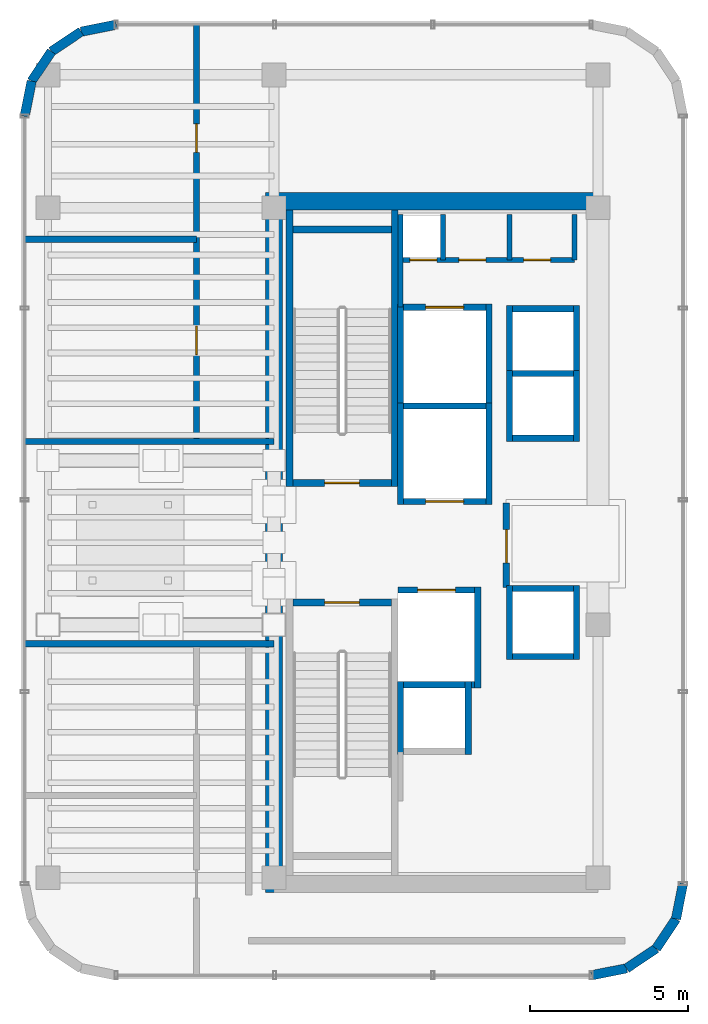
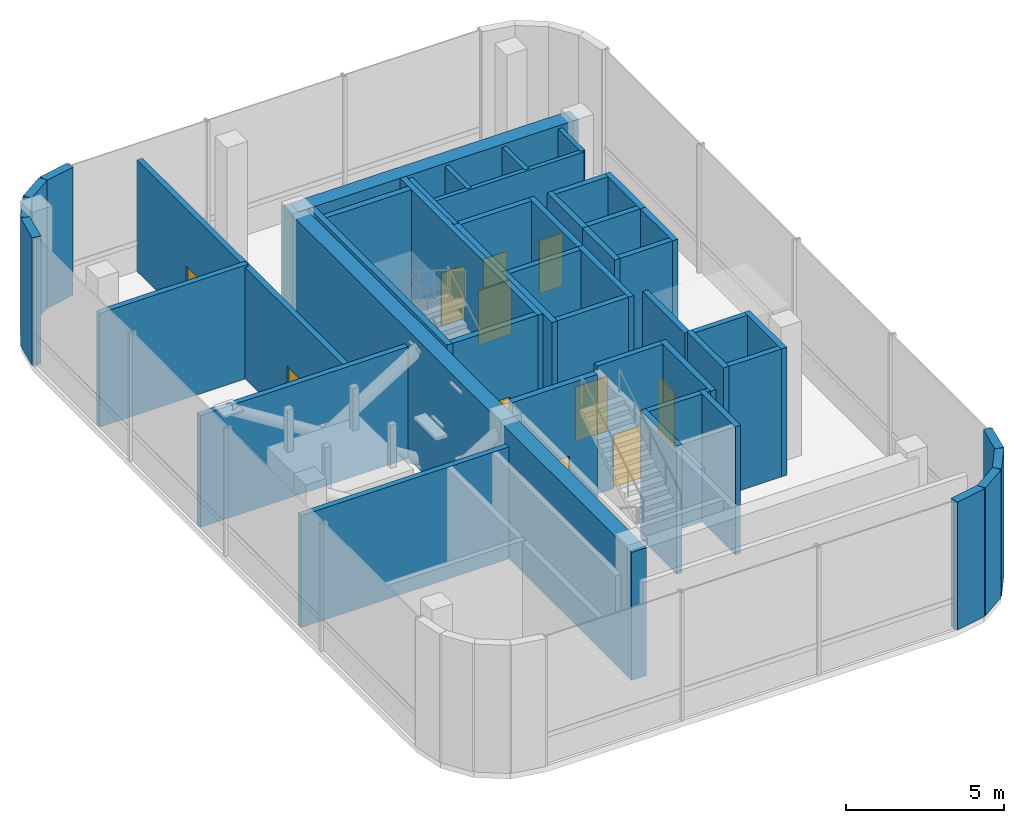
# One storey, part 10 of 13: 48 walls, 11 doors, 11 openings.
"""IFC4 building model written with IfcOpenShell, lengths in metres."""

from ifc_helpers import new_model, si_unit, direction, frame, frame_2d, origin, place, context, subcontext, project, spatial, rectangle, extrude, material, layer, layer_set, type_object, element, fill, save


model = new_model("IFC4")

# Units and contexts
model_context = context("Model", 3, precision=1e-05, world=origin(), true_north=direction((0.0, 1.0)))
body_context = subcontext(model_context, "Body", "Model", "MODEL_VIEW")
ifc_project = project(units=[si_unit("LENGTHUNIT", "METRE"), si_unit("AREAUNIT", "SQUARE_METRE"), si_unit("VOLUMEUNIT", "CUBIC_METRE"), si_unit("PLANEANGLEUNIT", "RADIAN"), si_unit("MASSUNIT", "GRAM", prefix="KILO")], contexts=[model_context])

# Site, building, storey
site_placement = place(None, origin())
site = spatial("IfcSite", under=ifc_project, at=site_placement, CompositionType="ELEMENT")
building_placement = place(site_placement, origin())
building = spatial("IfcBuilding", under=site, at=building_placement, Name="Valdorenza Pilgrim Sanctuary Tower", CompositionType="ELEMENT")
storey_placement = place(building_placement, frame((0.0, 0.0, 294.199951171875)))
storey = spatial("IfcBuildingStorey", under=building, at=storey_placement, Name="L77", CompositionType="ELEMENT", Elevation=294.199951171875)

# Wall
ifc_material_1 = material(Name="Acoustic twin-stud gypsum partition", Category="gypsum")
ifc_layer_1 = layer(ifc_material_1, 0.159912109375, Name="Acoustic twin-stud gypsum partition")
ifc_layer_set_1 = layer_set([ifc_layer_1], Name="Acoustic twin-stud gypsum partition")
wall_type_1 = type_object("IfcWallType", Name="WAL-COR-160", PredefinedType="PARTITIONING", material=ifc_layer_set_1)
wall_1_placement = place(storey_placement, frame((-18.64990234375, 7.449951171875, 0.0), z_axis=(0.0, 0.0, 1.0), x_axis=(0.0, 1.0, 0.0)))
element("IfcWall", 1, at=wall_1_placement, inside=storey, type_object=wall_type_1, Name="L77 Core A North Service West Wall", PredefinedType="PARTITIONING", context=body_context, shape_type="SweptSolid", body=[
    extrude(rectangle(XDim=2.929931640625, YDim=0.159912109375, at=frame_2d((1.46484375, 0.0))), origin(), (0.0, 0.0, 1.0), 4.9599609375),
])

# Wall, openings, doors
wall_2_placement = place(storey_placement, frame((-18.64990234375, 8.949951171875, 0.0), z_axis=(0.0, 0.0, 1.0), x_axis=(1.0, 0.0, 0.0)))
wall_2 = element("IfcWall", 2, at=wall_2_placement, inside=storey, type_object=wall_type_1, Name="L77 Core A North Service South Wall", PredefinedType="PARTITIONING", context=body_context, shape_type="SweptSolid", body=[
    extrude(rectangle(XDim=5.5, YDim=0.159912109375, at=frame_2d((2.75, 0.0))), origin(), (0.0, 0.0, 1.0), 4.9599609375),
])
opening_1_placement = place(wall_2_placement, frame((0.300048828125, 0.0, 0.0)))
opening_1 = element("IfcOpeningElement", 3, at=opening_1_placement, cuts=wall_2, Name="Opening DR-RS1", PredefinedType="OPENING", context=body_context, shape_type="SweptSolid", body=[
    extrude(rectangle(XDim=0.85009765625, YDim=2.050048828125, at=frame_2d((0.425048828125, 1.02490234375))), frame((0.0, 0.0947265625, 0.0), z_axis=(0.0, -1.0, 0.0), x_axis=(1.0, 0.0, 0.0)), (0.0, 0.0, 1.0), 0.189697265625),
])
opening_2_placement = place(wall_2_placement, frame((1.85009765625, 0.0, 0.0)))
opening_2 = element("IfcOpeningElement", 4, at=opening_2_placement, cuts=wall_2, Name="Opening DR-RS1", PredefinedType="OPENING", context=body_context, shape_type="SweptSolid", body=[
    extrude(rectangle(XDim=0.85009765625, YDim=2.050048828125, at=frame_2d((0.425048828125, 1.02490234375))), frame((0.0, 0.0947265625, 0.0), z_axis=(0.0, -1.0, 0.0), x_axis=(1.0, 0.0, 0.0)), (0.0, 0.0, 1.0), 0.189697265625),
])
opening_3_placement = place(wall_2_placement, frame((3.89990234375, 0.0, 0.0)))
opening_3 = element("IfcOpeningElement", 5, at=opening_3_placement, cuts=wall_2, Name="Opening DR-RS1", PredefinedType="OPENING", context=body_context, shape_type="SweptSolid", body=[
    extrude(rectangle(XDim=0.85009765625, YDim=2.050048828125, at=frame_2d((0.425048828125, 1.02490234375))), frame((0.0, 0.0947265625, 0.0), z_axis=(0.0, -1.0, 0.0), x_axis=(1.0, 0.0, 0.0)), (0.0, 0.0, 1.0), 0.189697265625),
])
ifc_material_2 = material(Name="Painted galvanized steel", Category="steel")
door_type_1 = type_object("IfcDoorType", Name="DR-RSR-850", OperationType="NOTDEFINED", PredefinedType="DOOR", material=ifc_material_2)
door_1_placement = place(opening_1_placement, origin())
door_1 = element("IfcDoor", 6, at=door_1_placement, inside=storey, type_object=door_type_1, Name="L77 Core Electrical and Telecom Riser Door", OperationType="SINGLE_SWING_LEFT", OverallHeight=2.050048828125, OverallWidth=0.85009765625, PredefinedType="DOOR", context=body_context, shape_type="SweptSolid", body=[
    extrude(rectangle(XDim=0.85009765625, YDim=2.050048828125, at=frame_2d((0.425048828125, 1.02490234375))), frame((0.0, 0.02490234375, 0.0), z_axis=(0.0, -1.0, 0.0), x_axis=(1.0, 0.0, 0.0)), (0.0, 0.0, 1.0), 0.050048828125),
])
fill(opening_1, door_1)
door_2_placement = place(opening_2_placement, origin())
door_2 = element("IfcDoor", 7, at=door_2_placement, inside=storey, type_object=door_type_1, Name="L77 Core Janitor and Maintenance Store Door", OperationType="SINGLE_SWING_RIGHT", OverallHeight=2.050048828125, OverallWidth=0.85009765625, PredefinedType="DOOR", context=body_context, shape_type="SweptSolid", body=[
    extrude(rectangle(XDim=0.85009765625, YDim=2.050048828125, at=frame_2d((0.425048828125, 1.02490234375))), frame((0.0, 0.02490234375, 0.0), z_axis=(0.0, -1.0, 0.0), x_axis=(1.0, 0.0, 0.0)), (0.0, 0.0, 1.0), 0.050048828125),
])
fill(opening_2, door_2)
door_3_placement = place(opening_3_placement, origin())
door_3 = element("IfcDoor", 8, at=door_3_placement, inside=storey, type_object=door_type_1, Name="L77 Guest Ice and Vending Pantry Door", OperationType="SINGLE_SWING_LEFT", OverallHeight=2.050048828125, OverallWidth=0.85009765625, PredefinedType="DOOR", context=body_context, shape_type="SweptSolid", body=[
    extrude(rectangle(XDim=0.85009765625, YDim=2.050048828125, at=frame_2d((0.425048828125, 1.02490234375))), frame((0.0, 0.02490234375, 0.0), z_axis=(0.0, -1.0, 0.0), x_axis=(1.0, 0.0, 0.0)), (0.0, 0.0, 1.0), 0.050048828125),
])
fill(opening_3, door_3)

# Walls
for number, where, z_axis, x_axis, name in (
    (9, (-13.14990234375, 8.949951171875, 0.0), (0.0, 0.0, 1.0), (0.0, 1.0, 0.0), "L77 Core A North Service East Wall"),
    (10, (-17.300048828125, 8.949951171875, 0.0), (0.0, 0.0, 1.0), (0.0, 1.0, 0.0), "L77 Core Electrical Riser Wall"),
    (11, (-15.199951171875, 8.949951171875, 0.0), (0.0, 0.0, 1.0), (0.0, 1.0, 0.0), "L77 Core A Housekeeping Split B"),
):
    element("IfcWall", number, at=place(storey_placement, frame(where, z_axis=z_axis, x_axis=x_axis)), inside=storey, type_object=wall_type_1, Name=name, PredefinedType="PARTITIONING", context=body_context, shape_type="SweptSolid", body=[
        extrude(rectangle(XDim=1.429931640625, YDim=0.159912109375, at=frame_2d((0.71484375, 0.0))), origin(), (0.0, 0.0, 1.0), 4.9599609375),
    ])
ifc_material_3 = material(Name="Concrete C50/60", Category="concrete")
ifc_layer_2 = layer(ifc_material_3, 0.550048828125, Name="Concrete C50/60")
ifc_layer_set_2 = layer_set([ifc_layer_2], Name="Concrete C50/60")
wall_type_2 = type_object("IfcWallType", Name="WAL-COR-550", PredefinedType="SHEAR", material=ifc_layer_set_2)
wall_3_placement = place(storey_placement, frame((-22.64990234375, -11.074951171875, 0.0), z_axis=(0.0, 0.0, 1.0), x_axis=(0.0, 1.0, 0.0)))
element("IfcWall", 12, at=wall_3_placement, inside=storey, type_object=wall_type_2, Name="L77 Split Core A Shear Wall W", PredefinedType="SHEAR", context=body_context, shape_type="SweptSolid", body=[
    extrude(rectangle(XDim=22.14990234375, YDim=0.550048828125, at=frame_2d((11.074951171875, 0.0))), origin(), (0.0, 0.0, 1.0), 4.9599609375),
])
wall_4_placement = place(storey_placement, frame((-22.64990234375, 10.800048828125, 0.0), z_axis=(0.0, 0.0, 1.0), x_axis=(1.0, 0.0, 0.0)))
element("IfcWall", 13, at=wall_4_placement, inside=storey, type_object=wall_type_2, Name="L77 Split Core A Shear Wall N", PredefinedType="SHEAR", context=body_context, shape_type="SweptSolid", body=[
    extrude(rectangle(XDim=10.25, YDim=0.550048828125, at=frame_2d((5.125, 0.0))), origin(), (0.0, 0.0, 1.0), 4.9599609375),
])
ifc_material_4 = material(Name="Honed travertine limestone", Category="masonry")
ifc_layer_3 = layer(ifc_material_4, 0.300048828125, Name="Honed travertine limestone")
ifc_layer_set_3 = layer_set([ifc_layer_3], Name="Honed travertine limestone")
wall_type_3 = type_object("IfcWallType", Name="WAL-EXT-300", PredefinedType="SOLIDWALL", material=ifc_layer_set_3)
wall_5_placement = place(storey_placement, frame((-30.5400390625, 13.4892578125, 0.0), z_axis=(0.0, 0.0, 1.0), x_axis=(0.195043173023, 0.980794657743, 0.0)))
element("IfcWall", 14, at=wall_5_placement, inside=storey, type_object=wall_type_3, Name="L77 Rounded Wind-Corner Stone Pier 2", PredefinedType="SOLIDWALL", context=body_context, shape_type="SweptSolid", body=[
    extrude(rectangle(XDim=1.137939453125, YDim=0.300048828125, at=frame_2d((0.56884765625, 0.0))), origin(), (0.0, 0.0, 1.0), 4.9599609375),
])
for number, where, z_axis, x_axis, name in (
    (15, (-30.318115234375, 14.605224609375, 0.0), (0.0, 0.0, 1.0), (0.555749754081, 0.831349632128, 0.0), "L77 Rounded Wind-Corner Stone Pier 3"),
    (16, (-29.69189453125, 15.5419921875, 0.0), (0.0, 0.0, 1.0), (0.831449735491, 0.555599979619, 0.0), "L77 Rounded Wind-Corner Stone Pier 4"),
):
    element("IfcWall", number, at=place(storey_placement, frame(where, z_axis=z_axis, x_axis=x_axis)), inside=storey, type_object=wall_type_3, Name=name, PredefinedType="SOLIDWALL", context=body_context, shape_type="SweptSolid", body=[
        extrude(rectangle(XDim=1.126708984375, YDim=0.300048828125, at=frame_2d((0.5634765625, 0.0))), origin(), (0.0, 0.0, 1.0), 4.9599609375),
    ])
for number, where, z_axis, x_axis, name in (
    (17, (-28.755126953125, 16.16796875, 0.0), (0.0, 0.0, 1.0), (0.980794657743, 0.195043173023, 0.0), "L77 Rounded Wind-Corner Stone Pier 5"),
    (18, (-9.7099609375, -10.789306640625, 0.0), (0.0, 0.0, 1.0), (-0.195043173023, -0.980794657743, 0.0), "L77 Rounded Wind-Corner Stone Pier 12"),
):
    element("IfcWall", number, at=place(storey_placement, frame(where, z_axis=z_axis, x_axis=x_axis)), inside=storey, type_object=wall_type_3, Name=name, PredefinedType="SOLIDWALL", context=body_context, shape_type="SweptSolid", body=[
        extrude(rectangle(XDim=1.137939453125, YDim=0.300048828125, at=frame_2d((0.56884765625, 0.0))), origin(), (0.0, 0.0, 1.0), 4.9599609375),
    ])
for number, where, z_axis, x_axis, name in (
    (19, (-9.931884765625, -11.9052734375, 0.0), (0.0, 0.0, 1.0), (-0.555749754081, -0.831349632128, 0.0), "L77 Rounded Wind-Corner Stone Pier 13"),
    (20, (-10.55810546875, -12.842041015625, 0.0), (0.0, 0.0, 1.0), (-0.831449735491, -0.555599979619, 0.0), "L77 Rounded Wind-Corner Stone Pier 14"),
):
    element("IfcWall", number, at=place(storey_placement, frame(where, z_axis=z_axis, x_axis=x_axis)), inside=storey, type_object=wall_type_3, Name=name, PredefinedType="SOLIDWALL", context=body_context, shape_type="SweptSolid", body=[
        extrude(rectangle(XDim=1.126708984375, YDim=0.300048828125, at=frame_2d((0.5634765625, 0.0))), origin(), (0.0, 0.0, 1.0), 4.9599609375),
    ])
wall_6_placement = place(storey_placement, frame((-11.494873046875, -13.468017578125, 0.0), z_axis=(0.0, 0.0, 1.0), x_axis=(-0.980794657743, -0.195043173023, 0.0)))
element("IfcWall", 21, at=wall_6_placement, inside=storey, type_object=wall_type_3, Name="L77 Rounded Wind-Corner Stone Pier 15", PredefinedType="SOLIDWALL", context=body_context, shape_type="SweptSolid", body=[
    extrude(rectangle(XDim=1.137939453125, YDim=0.300048828125, at=frame_2d((0.56884765625, 0.0))), origin(), (0.0, 0.0, 1.0), 4.9599609375),
])

# Wall, opening, door
ifc_material_5 = material(Name="Gypsum shaftwall partition", Category="gypsum")
ifc_layer_4 = layer(ifc_material_5, 0.199951171875, Name="Gypsum shaftwall partition")
ifc_layer_set_4 = layer_set([ifc_layer_4], Name="Gypsum shaftwall partition")
wall_type_4 = type_object("IfcWallType", Name="WAL-FFL-200", PredefinedType="PARTITIONING", material=ifc_layer_set_4)
wall_7_placement = place(storey_placement, frame((-15.300048828125, -1.419921875, 0.0), z_axis=(0.0, 0.0, 1.0), x_axis=(0.0, 1.0, 0.0)))
wall_7 = element("IfcWall", 22, at=wall_7_placement, inside=storey, type_object=wall_type_4, Name="L77 Core A Firefighting Lobby East Wall", PredefinedType="PARTITIONING", context=body_context, shape_type="SweptSolid", body=[
    extrude(rectangle(XDim=2.669921875, YDim=0.199951171875, at=frame_2d((1.3349609375, 0.0))), origin(), (0.0, 0.0, 1.0), 4.9599609375),
])
opening_4_placement = place(wall_7_placement, frame((0.780029296875, 0.0, 0.0)))
opening_4 = element("IfcOpeningElement", 23, at=opening_4_placement, cuts=wall_7, Name="Opening DR-FL1", PredefinedType="OPENING", context=body_context, shape_type="SweptSolid", body=[
    extrude(rectangle(XDim=1.050048828125, YDim=2.14990234375, at=frame_2d((0.52490234375, 1.074951171875))), frame((0.0, 0.11474609375, 0.0), z_axis=(0.0, -1.0, 0.0), x_axis=(1.0, 0.0, 0.0)), (0.0, 0.0, 1.0), 0.229736328125),
])
door_type_2 = type_object("IfcDoorType", Name="DR-FFL-1050", OperationType="NOTDEFINED", PredefinedType="DOOR", material=ifc_material_2)
door_4_placement = place(opening_4_placement, origin())
door_4 = element("IfcDoor", 24, at=door_4_placement, inside=storey, type_object=door_type_2, Name="L77 Core A Firefighting Lobby Door", OperationType="SINGLE_SWING_RIGHT", OverallHeight=2.14990234375, OverallWidth=1.050048828125, PredefinedType="DOOR", context=body_context, shape_type="SweptSolid", body=[
    extrude(rectangle(XDim=1.050048828125, YDim=2.14990234375, at=frame_2d((0.52490234375, 1.074951171875))), frame((0.0, 0.02490234375, 0.0), z_axis=(0.0, -1.0, 0.0), x_axis=(1.0, 0.0, 0.0)), (0.0, 0.0, 1.0), 0.050048828125),
])
fill(opening_4, door_4)

# Walls
for number, where, z_axis, x_axis, name in (
    (25, (-30.5400390625, -3.199951171875, 0.0), (0.0, 0.0, 1.0), (1.0, 0.0, 0.0), "L77 L77 TMD Cradle South Wall"),
    (26, (-30.5400390625, 3.199951171875, 0.0), (0.0, 0.0, 1.0), (1.0, 0.0, 0.0), "L77 L77 TMD Cradle North Wall"),
):
    element("IfcWall", number, at=place(storey_placement, frame(where, z_axis=z_axis, x_axis=x_axis)), inside=storey, type_object=wall_type_4, Name=name, PredefinedType="PARTITIONING", context=body_context, shape_type="SweptSolid", body=[
        extrude(rectangle(XDim=7.89013671875, YDim=0.199951171875, at=frame_2d((3.945068359375, 0.0))), origin(), (0.0, 0.0, 1.0), 4.333984375),
    ])

# Wall, openings, doors
wall_8_placement = place(storey_placement, frame((-25.10009765625, 3.199951171875, 0.0), z_axis=(0.0, 0.0, 1.0), x_axis=(0.0, 1.0, 0.0)))
wall_8 = element("IfcWall", 27, at=wall_8_placement, inside=storey, type_object=wall_type_4, Name="L77 L77 North Plant Corridor Wall", PredefinedType="PARTITIONING", context=body_context, shape_type="SweptSolid", body=[
    extrude(rectangle(XDim=13.18994140625, YDim=0.199951171875, at=frame_2d((6.594970703125, 0.0))), origin(), (0.0, 0.0, 1.0), 4.322998046875),
])
opening_5_placement = place(wall_8_placement, frame((2.75, 0.0, 0.0)))
opening_5 = element("IfcOpeningElement", 28, at=opening_5_placement, cuts=wall_8, Name="Opening DR-RM1", PredefinedType="OPENING", context=body_context, shape_type="SweptSolid", body=[
    extrude(rectangle(XDim=0.89990234375, YDim=2.10009765625, at=frame_2d((0.449951171875, 1.050048828125))), frame((0.0, 0.11474609375, 0.0), z_axis=(0.0, -1.0, 0.0), x_axis=(1.0, 0.0, 0.0)), (0.0, 0.0, 1.0), 0.229736328125),
])
opening_6_placement = place(wall_8_placement, frame((9.14990234375, 0.0, 0.0)))
opening_6 = element("IfcOpeningElement", 29, at=opening_6_placement, cuts=wall_8, Name="Opening DR-RM1", PredefinedType="OPENING", context=body_context, shape_type="SweptSolid", body=[
    extrude(rectangle(XDim=0.89990234375, YDim=2.10009765625, at=frame_2d((0.449951171875, 1.050048828125))), frame((0.0, 0.11474609375, 0.0), z_axis=(0.0, -1.0, 0.0), x_axis=(1.0, 0.0, 0.0)), (0.0, 0.0, 1.0), 0.229736328125),
])
ifc_material_6 = material(Name="Solid-core European oak timber", Category="wood")
door_type_3 = type_object("IfcDoorType", Name="DR-ROOM-900", OperationType="NOTDEFINED", PredefinedType="DOOR", material=ifc_material_6)
door_5_placement = place(opening_5_placement, origin())
door_5 = element("IfcDoor", 30, at=door_5_placement, inside=storey, type_object=door_type_3, Name="L77 L77 Crown Smoke-Extract Plant Room Door", OperationType="SINGLE_SWING_RIGHT", OverallHeight=2.10009765625, OverallWidth=0.89990234375, PredefinedType="DOOR", context=body_context, shape_type="SweptSolid", body=[
    extrude(rectangle(XDim=0.89990234375, YDim=2.10009765625, at=frame_2d((0.449951171875, 1.050048828125))), frame((0.0, 0.02490234375, 0.0), z_axis=(0.0, -1.0, 0.0), x_axis=(1.0, 0.0, 0.0)), (0.0, 0.0, 1.0), 0.050048828125),
])
fill(opening_5, door_5)
door_6_placement = place(opening_6_placement, frame((0.89990234375, 0.0, 0.0), z_axis=(0.0, 0.0, 1.0), x_axis=(-1.0, 0.0, 0.0)))
door_6 = element("IfcDoor", 31, at=door_6_placement, inside=storey, type_object=door_type_3, Name="L77 L77 Electrical Substation Transformer Plant Room Door", OperationType="SINGLE_SWING_LEFT", OverallHeight=2.10009765625, OverallWidth=0.89990234375, PredefinedType="DOOR", context=body_context, shape_type="SweptSolid", body=[
    extrude(rectangle(XDim=0.89990234375, YDim=2.10009765625, at=frame_2d((0.449951171875, 1.050048828125))), frame((0.0, 0.02490234375, 0.0), z_axis=(0.0, -1.0, 0.0), x_axis=(1.0, 0.0, 0.0)), (0.0, 0.0, 1.0), 0.050048828125),
])
fill(opening_6, door_6)

# Walls
wall_9_placement = place(storey_placement, frame((-30.5400390625, 9.60009765625, 0.0), z_axis=(0.0, 0.0, 1.0), x_axis=(1.0, 0.0, 0.0)))
element("IfcWall", 32, at=wall_9_placement, inside=storey, type_object=wall_type_4, Name="L77 L77 North Plant Split", PredefinedType="PARTITIONING", context=body_context, shape_type="SweptSolid", body=[
    extrude(rectangle(XDim=5.43994140625, YDim=0.199951171875, at=frame_2d((2.719970703125, 0.0))), origin(), (0.0, 0.0, 1.0), 4.406005859375),
])
ifc_material_7 = material(Name="Autoclaved aerated concrete blockwork", Category="masonry")
ifc_layer_5 = layer(ifc_material_7, 0.199951171875, Name="Autoclaved aerated concrete blockwork")
ifc_layer_set_5 = layer_set([ifc_layer_5], Name="Autoclaved aerated concrete blockwork")
wall_type_5 = type_object("IfcWallType", Name="WAL-SHF-200", PredefinedType="MOVABLE", material=ifc_layer_set_5)
for number, where, z_axis, x_axis, name in (
    (33, (-18.64990234375, 1.199951171875, 0.0), (0.0, 0.0, 1.0), (0.0, 1.0, 0.0), "L77 Lift FFL-01 Hoistway Wall West"),
    (34, (-15.85009765625, 1.199951171875, 0.0), (0.0, 0.0, 1.0), (0.0, 1.0, 0.0), "L77 Lift FFL-01 Hoistway Wall East"),
):
    element("IfcWall", number, at=place(storey_placement, frame(where, z_axis=z_axis, x_axis=x_axis)), inside=storey, type_object=wall_type_5, Name=name, PredefinedType="MOVABLE", context=body_context, shape_type="SweptSolid", body=[
        extrude(rectangle(XDim=3.22509765625, YDim=0.199951171875, at=frame_2d((1.612548828125, 0.0))), origin(), (0.0, 0.0, 1.0), 4.9599609375),
    ])

# Wall, opening, door
wall_10_placement = place(storey_placement, frame((-18.550048828125, 1.300048828125, 0.0), z_axis=(0.0, 0.0, 1.0), x_axis=(1.0, 0.0, 0.0)))
wall_10 = element("IfcWall", 35, at=wall_10_placement, inside=storey, type_object=wall_type_5, Name="L77 Lift FFL-01 Hoistway Wall South", PredefinedType="MOVABLE", context=body_context, shape_type="SweptSolid", body=[
    extrude(rectangle(XDim=2.60009765625, YDim=0.199951171875, at=frame_2d((1.300048828125, 0.0))), origin(), (0.0, 0.0, 1.0), 4.9599609375),
])
opening_7_placement = place(wall_10_placement, frame((0.699951171875, 0.0, 0.0)))
opening_7 = element("IfcOpeningElement", 36, at=opening_7_placement, cuts=wall_10, Name="Opening LD-02", PredefinedType="OPENING", context=body_context, shape_type="SweptSolid", body=[
    extrude(rectangle(XDim=1.199951171875, YDim=2.10009765625, at=frame_2d((0.60009765625, 1.050048828125))), frame((0.0, 0.11474609375, 0.0), z_axis=(0.0, -1.0, 0.0), x_axis=(1.0, 0.0, 0.0)), (0.0, 0.0, 1.0), 0.229736328125),
])
ifc_material_8 = material(Name="Brushed stainless steel Grade 316", Category="steel")
door_type_4 = type_object("IfcDoorType", Name="DR-LFT-1200", OperationType="DOUBLE_DOOR_SLIDING", PredefinedType="DOOR", material=ifc_material_8)
door_7_placement = place(opening_7_placement, origin())
door_7 = element("IfcDoor", 37, at=door_7_placement, inside=storey, type_object=door_type_4, Name="L77 Lift FFL-01 Sliding Landing Door", OperationType="DOUBLE_DOOR_SLIDING", OverallHeight=2.10009765625, OverallWidth=1.199951171875, PredefinedType="DOOR", context=body_context, shape_type="SweptSolid", body=[
    extrude(rectangle(XDim=1.199951171875, YDim=2.10009765625, at=frame_2d((0.60009765625, 1.050048828125))), frame((0.0, 0.02490234375, 0.0), z_axis=(0.0, -1.0, 0.0), x_axis=(1.0, 0.0, 0.0)), (0.0, 0.0, 1.0), 0.050048828125),
])
fill(opening_7, door_7)

# Walls
wall_11_placement = place(storey_placement, frame((-18.550048828125, 4.324951171875, 0.0), z_axis=(0.0, 0.0, 1.0), x_axis=(1.0, 0.0, 0.0)))
element("IfcWall", 38, at=wall_11_placement, inside=storey, type_object=wall_type_5, Name="L77 Lift FFL-01 Hoistway Wall North", PredefinedType="MOVABLE", context=body_context, shape_type="SweptSolid", body=[
    extrude(rectangle(XDim=2.60009765625, YDim=0.199951171875, at=frame_2d((1.300048828125, 0.0))), origin(), (0.0, 0.0, 1.0), 4.9599609375),
])
wall_12_placement = place(storey_placement, frame((-16.199951171875, -4.60009765625, 0.0), z_axis=(0.0, 0.0, 1.0), x_axis=(0.0, 1.0, 0.0)))
element("IfcWall", 39, at=wall_12_placement, inside=storey, type_object=wall_type_5, Name="L77 Lift FFL-02 Hoistway Wall East", PredefinedType="MOVABLE", context=body_context, shape_type="SweptSolid", body=[
    extrude(rectangle(XDim=3.2001953125, YDim=0.199951171875, at=frame_2d((1.60009765625, 0.0))), origin(), (0.0, 0.0, 1.0), 4.9599609375),
])
wall_13_placement = place(storey_placement, frame((-18.719970703125, -4.5, 0.0), z_axis=(0.0, 0.0, 1.0), x_axis=(1.0, 0.0, 0.0)))
element("IfcWall", 40, at=wall_13_placement, inside=storey, type_object=wall_type_5, Name="L77 Lift FFL-02 Hoistway Wall South", PredefinedType="MOVABLE", context=body_context, shape_type="SweptSolid", body=[
    extrude(rectangle(XDim=2.419921875, YDim=0.199951171875, at=frame_2d((1.2099609375, 0.0))), origin(), (0.0, 0.0, 1.0), 4.9599609375),
])

# Wall, opening, door
wall_14_placement = place(storey_placement, frame((-18.719970703125, -1.5, 0.0), z_axis=(0.0, 0.0, 1.0), x_axis=(1.0, 0.0, 0.0)))
wall_14 = element("IfcWall", 41, at=wall_14_placement, inside=storey, type_object=wall_type_5, Name="L77 Lift FFL-02 Hoistway Wall North", PredefinedType="MOVABLE", context=body_context, shape_type="SweptSolid", body=[
    extrude(rectangle(XDim=2.419921875, YDim=0.199951171875, at=frame_2d((1.2099609375, 0.0))), origin(), (0.0, 0.0, 1.0), 4.9599609375),
])
opening_8_placement = place(wall_14_placement, frame((0.610107421875, 0.0, 0.0)))
opening_8 = element("IfcOpeningElement", 42, at=opening_8_placement, cuts=wall_14, Name="Opening LD-02", PredefinedType="OPENING", context=body_context, shape_type="SweptSolid", body=[
    extrude(rectangle(XDim=1.199951171875, YDim=2.10009765625, at=frame_2d((0.60009765625, 1.050048828125))), frame((0.0, 0.11474609375, 0.0), z_axis=(0.0, -1.0, 0.0), x_axis=(1.0, 0.0, 0.0)), (0.0, 0.0, 1.0), 0.229736328125),
])
door_8_placement = place(opening_8_placement, origin())
door_8 = element("IfcDoor", 43, at=door_8_placement, inside=storey, type_object=door_type_4, Name="L77 Lift FFL-02 Sliding Landing Door", OperationType="DOUBLE_DOOR_SLIDING", OverallHeight=2.10009765625, OverallWidth=1.199951171875, PredefinedType="DOOR", context=body_context, shape_type="SweptSolid", body=[
    extrude(rectangle(XDim=1.199951171875, YDim=2.10009765625, at=frame_2d((0.60009765625, 1.050048828125))), frame((0.0, 0.02490234375, 0.0), z_axis=(0.0, -1.0, 0.0), x_axis=(1.0, 0.0, 0.0)), (0.0, 0.0, 1.0), 0.050048828125),
])
fill(opening_8, door_8)

# Walls
for number, where, z_axis, x_axis, name in (
    (44, (-18.64990234375, 4.22509765625, 0.0), (0.0, 0.0, 1.0), (0.0, 1.0, 0.0), "L77 Lift SVL-01 Hoistway Wall West"),
    (45, (-15.85009765625, 4.22509765625, 0.0), (0.0, 0.0, 1.0), (0.0, 1.0, 0.0), "L77 Lift SVL-01 Hoistway Wall East"),
):
    element("IfcWall", number, at=place(storey_placement, frame(where, z_axis=z_axis, x_axis=x_axis)), inside=storey, type_object=wall_type_5, Name=name, PredefinedType="MOVABLE", context=body_context, shape_type="SweptSolid", body=[
        extrude(rectangle(XDim=3.324951171875, YDim=0.199951171875, at=frame_2d((1.66259765625, 0.0))), origin(), (0.0, 0.0, 1.0), 4.9599609375),
    ])

# Wall, opening, door
wall_15_placement = place(storey_placement, frame((-18.550048828125, 7.449951171875, 0.0), z_axis=(0.0, 0.0, 1.0), x_axis=(1.0, 0.0, 0.0)))
wall_15 = element("IfcWall", 46, at=wall_15_placement, inside=storey, type_object=wall_type_5, Name="L77 Lift SVL-01 Hoistway Wall North", PredefinedType="MOVABLE", context=body_context, shape_type="SweptSolid", body=[
    extrude(rectangle(XDim=2.60009765625, YDim=0.199951171875, at=frame_2d((1.300048828125, 0.0))), origin(), (0.0, 0.0, 1.0), 4.9599609375),
])
opening_9_placement = place(wall_15_placement, frame((0.699951171875, 0.0, 0.0)))
opening_9 = element("IfcOpeningElement", 47, at=opening_9_placement, cuts=wall_15, Name="Opening LD-02", PredefinedType="OPENING", context=body_context, shape_type="SweptSolid", body=[
    extrude(rectangle(XDim=1.199951171875, YDim=2.10009765625, at=frame_2d((0.60009765625, 1.050048828125))), frame((0.0, 0.11474609375, 0.0), z_axis=(0.0, -1.0, 0.0), x_axis=(1.0, 0.0, 0.0)), (0.0, 0.0, 1.0), 0.229736328125),
])
door_9_placement = place(opening_9_placement, origin())
door_9 = element("IfcDoor", 48, at=door_9_placement, inside=storey, type_object=door_type_4, Name="L77 Lift SVL-01 Sliding Landing Door", OperationType="DOUBLE_DOOR_SLIDING", OverallHeight=2.10009765625, OverallWidth=1.199951171875, PredefinedType="DOOR", context=body_context, shape_type="SweptSolid", body=[
    extrude(rectangle(XDim=1.199951171875, YDim=2.10009765625, at=frame_2d((0.60009765625, 1.050048828125))), frame((0.0, 0.02490234375, 0.0), z_axis=(0.0, -1.0, 0.0), x_axis=(1.0, 0.0, 0.0)), (0.0, 0.0, 1.0), 0.050048828125),
])
fill(opening_9, door_9)

# Walls
for number, where, z_axis, x_axis, name in (
    (49, (-15.199951171875, 3.199951171875, 0.0), (0.0, 0.0, 1.0), (0.0, 1.0, 0.0), "L77 Lift PL-09 Hoistway Wall West"),
    (50, (-13.080078125, 3.199951171875, 0.0), (0.0, 0.0, 1.0), (0.0, 1.0, 0.0), "L77 Lift PL-09 Hoistway Wall East"),
):
    element("IfcWall", number, at=place(storey_placement, frame(where, z_axis=z_axis, x_axis=x_axis)), inside=storey, type_object=wall_type_5, Name=name, PredefinedType="MOVABLE", context=body_context, shape_type="SweptSolid", body=[
        extrude(rectangle(XDim=2.25, YDim=0.199951171875, at=frame_2d((1.125, 0.0))), origin(), (0.0, 0.0, 1.0), 4.9599609375),
    ])
for number, where, z_axis, x_axis, name in (
    (51, (-15.10009765625, 3.300048828125, 0.0), (0.0, 0.0, 1.0), (1.0, 0.0, 0.0), "L77 Lift PL-09 Hoistway Wall South"),
    (52, (-15.10009765625, 5.35009765625, 0.0), (0.0, 0.0, 1.0), (1.0, 0.0, 0.0), "L77 Lift PL-09 Hoistway Wall North"),
):
    element("IfcWall", number, at=place(storey_placement, frame(where, z_axis=z_axis, x_axis=x_axis)), inside=storey, type_object=wall_type_5, Name=name, PredefinedType="MOVABLE", context=body_context, shape_type="SweptSolid", body=[
        extrude(rectangle(XDim=1.920166015625, YDim=0.199951171875, at=frame_2d((0.9599609375, 0.0))), origin(), (0.0, 0.0, 1.0), 4.9599609375),
    ])
for number, where, z_axis, x_axis, name in (
    (53, (-15.199951171875, 5.25, 0.0), (0.0, 0.0, 1.0), (0.0, 1.0, 0.0), "L77 Lift PL-10 Hoistway Wall West"),
    (54, (-13.080078125, 5.25, 0.0), (0.0, 0.0, 1.0), (0.0, 1.0, 0.0), "L77 Lift PL-10 Hoistway Wall East"),
):
    element("IfcWall", number, at=place(storey_placement, frame(where, z_axis=z_axis, x_axis=x_axis)), inside=storey, type_object=wall_type_5, Name=name, PredefinedType="MOVABLE", context=body_context, shape_type="SweptSolid", body=[
        extrude(rectangle(XDim=2.25, YDim=0.199951171875, at=frame_2d((1.125, 0.0))), origin(), (0.0, 0.0, 1.0), 4.9599609375),
    ])
wall_16_placement = place(storey_placement, frame((-15.10009765625, 7.39990234375, 0.0), z_axis=(0.0, 0.0, 1.0), x_axis=(1.0, 0.0, 0.0)))
element("IfcWall", 55, at=wall_16_placement, inside=storey, type_object=wall_type_5, Name="L77 Lift PL-10 Hoistway Wall North", PredefinedType="MOVABLE", context=body_context, shape_type="SweptSolid", body=[
    extrude(rectangle(XDim=1.920166015625, YDim=0.199951171875, at=frame_2d((0.9599609375, 0.0))), origin(), (0.0, 0.0, 1.0), 4.9599609375),
])
for number, where, z_axis, x_axis, name in (
    (56, (-18.64990234375, -6.699951171875, 0.0), (0.0, 0.0, 1.0), (0.0, 1.0, 0.0), "L77 Lift PL-11 Hoistway Wall West"),
    (57, (-16.5, -6.699951171875, 0.0), (0.0, 0.0, 1.0), (0.0, 1.0, 0.0), "L77 Lift PL-11 Hoistway Wall East"),
):
    element("IfcWall", number, at=place(storey_placement, frame(where, z_axis=z_axis, x_axis=x_axis)), inside=storey, type_object=wall_type_5, Name=name, PredefinedType="MOVABLE", context=body_context, shape_type="SweptSolid", body=[
        extrude(rectangle(XDim=2.300048828125, YDim=0.199951171875, at=frame_2d((1.14990234375, 0.0))), origin(), (0.0, 0.0, 1.0), 4.9599609375),
    ])
for number, where, z_axis, x_axis, name in (
    (58, (-15.199951171875, -3.699951171875, 0.0), (0.0, 0.0, 1.0), (0.0, 1.0, 0.0), "L77 Lift PL-12 Hoistway Wall West"),
    (59, (-13.080078125, -3.699951171875, 0.0), (0.0, 0.0, 1.0), (0.0, 1.0, 0.0), "L77 Lift PL-12 Hoistway Wall East"),
):
    element("IfcWall", number, at=place(storey_placement, frame(where, z_axis=z_axis, x_axis=x_axis)), inside=storey, type_object=wall_type_5, Name=name, PredefinedType="MOVABLE", context=body_context, shape_type="SweptSolid", body=[
        extrude(rectangle(XDim=2.349853515625, YDim=0.199951171875, at=frame_2d((1.1748046875, 0.0))), origin(), (0.0, 0.0, 1.0), 4.9599609375),
    ])
for number, where, z_axis, x_axis, name in (
    (60, (-15.10009765625, -3.60009765625, 0.0), (0.0, 0.0, 1.0), (1.0, 0.0, 0.0), "L77 Lift PL-12 Hoistway Wall South"),
    (61, (-15.10009765625, -1.449951171875, 0.0), (0.0, 0.0, 1.0), (1.0, 0.0, 0.0), "L77 Lift PL-12 Hoistway Wall North"),
):
    element("IfcWall", number, at=place(storey_placement, frame(where, z_axis=z_axis, x_axis=x_axis)), inside=storey, type_object=wall_type_5, Name=name, PredefinedType="MOVABLE", context=body_context, shape_type="SweptSolid", body=[
        extrude(rectangle(XDim=1.920166015625, YDim=0.199951171875, at=frame_2d((0.9599609375, 0.0))), origin(), (0.0, 0.0, 1.0), 4.9599609375),
    ])
ifc_material_9 = material(Name="Concrete C40/50", Category="concrete")
ifc_layer_6 = layer(ifc_material_9, 0.219970703125, Name="Concrete C40/50")
ifc_layer_set_6 = layer_set([ifc_layer_6], Name="Concrete C40/50")
wall_type_6 = type_object("IfcWallType", Name="WAL-STR-SHF-220", PredefinedType="SHEAR", material=ifc_layer_set_6)
for number, where, z_axis, x_axis, name in (
    (62, (-22.159912109375, 1.780029296875, 0.0), (0.0, 0.0, 1.0), (0.0, 1.0, 0.0), "L77 ST-A1 Structural Stairwell Wall W"),
    (63, (-18.830078125, 1.780029296875, 0.0), (0.0, 0.0, 1.0), (0.0, 1.0, 0.0), "L77 ST-A1 Structural Stairwell Wall E"),
):
    element("IfcWall", number, at=place(storey_placement, frame(where, z_axis=z_axis, x_axis=x_axis)), inside=storey, type_object=wall_type_6, Name=name, PredefinedType="SHEAR", context=body_context, shape_type="SweptSolid", body=[
        extrude(rectangle(XDim=8.744873046875, YDim=0.219970703125, at=frame_2d((4.37255859375, 0.0))), origin(), (0.0, 0.0, 1.0), 4.9599609375),
    ])

# Wall, opening, door
wall_17_placement = place(storey_placement, frame((-22.050048828125, 1.889892578125, 0.0), z_axis=(0.0, 0.0, 1.0), x_axis=(1.0, 0.0, 0.0)))
wall_17 = element("IfcWall", 64, at=wall_17_placement, inside=storey, type_object=wall_type_6, Name="L77 ST-A1 Structural Stairwell Wall S", PredefinedType="SHEAR", context=body_context, shape_type="SweptSolid", body=[
    extrude(rectangle(XDim=3.110107421875, YDim=0.219970703125, at=frame_2d((1.55517578125, 0.0))), origin(), (0.0, 0.0, 1.0), 4.9599609375),
])
opening_10_placement = place(wall_17_placement, frame((1.0, 0.0, 0.0)))
opening_10 = element("IfcOpeningElement", 65, at=opening_10_placement, cuts=wall_17, Name="Opening DR-ST1", PredefinedType="OPENING", context=body_context, shape_type="SweptSolid", body=[
    extrude(rectangle(XDim=1.10009765625, YDim=2.14990234375, at=frame_2d((0.550048828125, 1.074951171875))), frame((0.0, 0.125, 0.0), z_axis=(0.0, -1.0, 0.0), x_axis=(1.0, 0.0, 0.0)), (0.0, 0.0, 1.0), 0.249755859375),
])
door_type_5 = type_object("IfcDoorType", Name="DR-STAIR-1100", OperationType="NOTDEFINED", PredefinedType="DOOR", material=ifc_material_2)
door_10_placement = place(opening_10_placement, frame((1.10009765625, 0.0, 0.0), z_axis=(0.0, 0.0, 1.0), x_axis=(-1.0, 0.0, 0.0)))
door_10 = element("IfcDoor", 66, at=door_10_placement, inside=storey, type_object=door_type_5, Name="L77 Exit Stair ST-A1 Door", OperationType="SINGLE_SWING_LEFT", OverallHeight=2.14990234375, OverallWidth=1.10009765625, PredefinedType="DOOR", context=body_context, shape_type="SweptSolid", body=[
    extrude(rectangle(XDim=1.10009765625, YDim=2.14990234375, at=frame_2d((0.550048828125, 1.074951171875))), frame((0.0, 0.02490234375, 0.0), z_axis=(0.0, -1.0, 0.0), x_axis=(1.0, 0.0, 0.0)), (0.0, 0.0, 1.0), 0.050048828125),
])
fill(opening_10, door_10)

# Wall
wall_18_placement = place(storey_placement, frame((-22.050048828125, 9.909912109375, 0.0), z_axis=(0.0, 0.0, 1.0), x_axis=(1.0, 0.0, 0.0)))
element("IfcWall", 67, at=wall_18_placement, inside=storey, type_object=wall_type_6, Name="L77 ST-A1 Structural Stairwell Wall N", PredefinedType="SHEAR", context=body_context, shape_type="SweptSolid", body=[
    extrude(rectangle(XDim=3.110107421875, YDim=0.219970703125, at=frame_2d((1.55517578125, 0.0))), origin(), (0.0, 0.0, 1.0), 4.9599609375),
])

# Wall, opening, door
wall_19_placement = place(storey_placement, frame((-22.050048828125, -1.889892578125, 0.0), z_axis=(0.0, 0.0, 1.0), x_axis=(1.0, 0.0, 0.0)))
wall_19 = element("IfcWall", 68, at=wall_19_placement, inside=storey, type_object=wall_type_6, Name="L77 ST-A2 Structural Stairwell Wall N", PredefinedType="SHEAR", context=body_context, shape_type="SweptSolid", body=[
    extrude(rectangle(XDim=3.110107421875, YDim=0.219970703125, at=frame_2d((1.55517578125, 0.0))), origin(), (0.0, 0.0, 1.0), 4.9599609375),
])
opening_11_placement = place(wall_19_placement, frame((1.0, 0.0, 0.0)))
opening_11 = element("IfcOpeningElement", 69, at=opening_11_placement, cuts=wall_19, Name="Opening DR-ST1", PredefinedType="OPENING", context=body_context, shape_type="SweptSolid", body=[
    extrude(rectangle(XDim=1.10009765625, YDim=2.14990234375, at=frame_2d((0.550048828125, 1.074951171875))), frame((0.0, 0.125, 0.0), z_axis=(0.0, -1.0, 0.0), x_axis=(1.0, 0.0, 0.0)), (0.0, 0.0, 1.0), 0.249755859375),
])
door_11_placement = place(opening_11_placement, origin())
door_11 = element("IfcDoor", 70, at=door_11_placement, inside=storey, type_object=door_type_5, Name="L77 Exit Stair ST-A2 Door", OperationType="SINGLE_SWING_RIGHT", OverallHeight=2.14990234375, OverallWidth=1.10009765625, PredefinedType="DOOR", context=body_context, shape_type="SweptSolid", body=[
    extrude(rectangle(XDim=1.10009765625, YDim=2.14990234375, at=frame_2d((0.550048828125, 1.074951171875))), frame((0.0, 0.02490234375, 0.0), z_axis=(0.0, -1.0, 0.0), x_axis=(1.0, 0.0, 0.0)), (0.0, 0.0, 1.0), 0.050048828125),
])
fill(opening_11, door_11)

save(model, "model.ifc")
